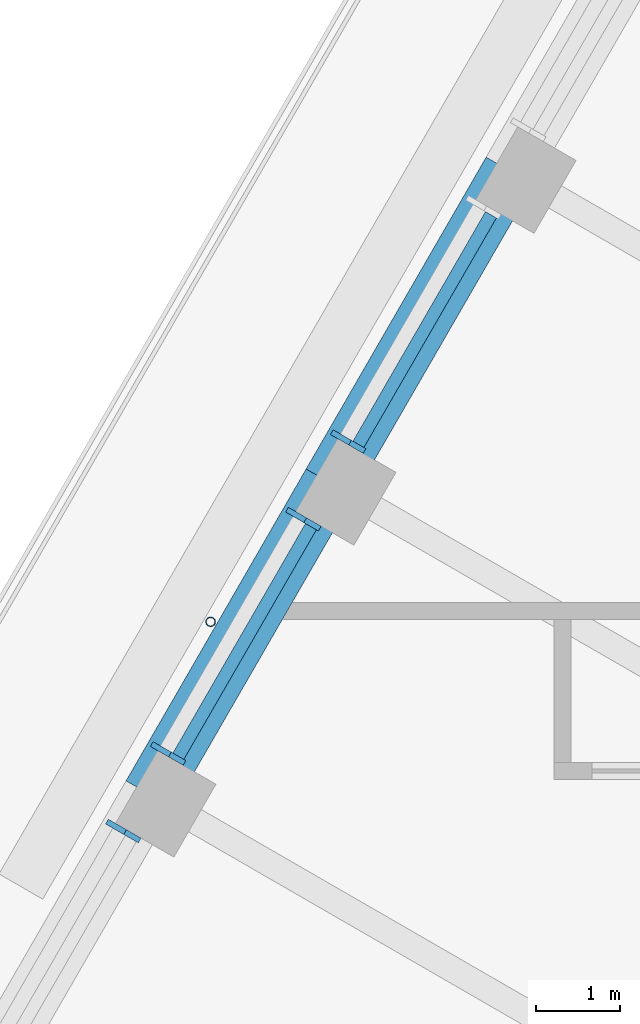
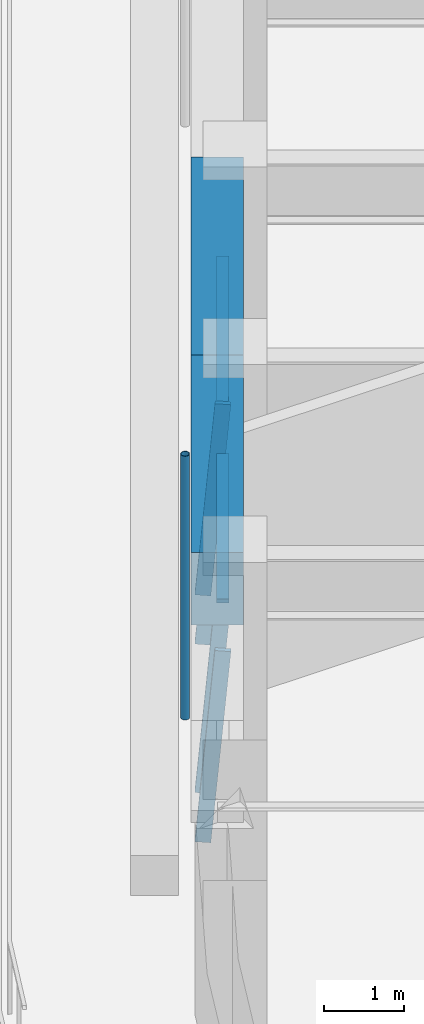
# One storey, part 6 of 19: 7 members, 2 beams, 3 elements without a shape of their own.
"""IFC4 building model written with IfcOpenShell, lengths in metres."""

from ifc_helpers import new_model, si_unit, direction, frame, origin, origin_2d, place, context, subcontext, project, spatial, rectangle, hollow_circle, extrude, material, material_profile, profile_set, type_object, element, aggregate, save


model = new_model("IFC4")

# Units and contexts
model_context = context("Model", 3, precision=1e-05, world=origin(), true_north=direction((0.0, 1.0)))
body_context = subcontext(model_context, "Body", "Model", "MODEL_VIEW")
ifc_project = project(units=[si_unit("LENGTHUNIT", "METRE"), si_unit("AREAUNIT", "SQUARE_METRE"), si_unit("VOLUMEUNIT", "CUBIC_METRE"), si_unit("PLANEANGLEUNIT", "RADIAN"), si_unit("MASSUNIT", "GRAM", prefix="KILO")], contexts=[model_context])

# Site, building, storey
site_placement = place(None, origin())
site = spatial("IfcSite", under=ifc_project, at=site_placement, CompositionType="ELEMENT")
building_placement = place(site_placement, origin())
building = spatial("IfcBuilding", under=site, at=building_placement, Name="Tarfa Lantern Tower", CompositionType="ELEMENT")
storey_placement = place(building_placement, frame((0.0, 0.0, 340.89990234375)))
storey = spatial("IfcBuildingStorey", under=building, at=storey_placement, Name="L77", CompositionType="ELEMENT", Elevation=340.89990234375)

# Curtain wall, member
ifc_material_1 = material(Name="Aluminium framed curtain wall", Category="aluminium")
curtain_wall_type = type_object("IfcCurtainWallType", Name="CW4 CANTED GLAZING EXECUTIVE ZONE 2900", PredefinedType="USERDEFINED", material=ifc_material_1)
curtain_wall_1_placement = place(storey_placement, origin())
curtain_wall_1 = element("IfcCurtainWall", 1, at=curtain_wall_1_placement, inside=storey, type_object=curtain_wall_type, Name="CW4 NW L77", ObjectType="CURTAIN WALL", PredefinedType="USERDEFINED")
ifc_material_2 = material(Name="Aluminium mullion", Category="aluminium")
ifc_material_profile_1 = material_profile(ifc_material_2, rectangle(XDim=0.06494140625, YDim=0.199951171875, at=origin_2d()), Name="AL MULLION 65x200")
ifc_profile_set_1 = profile_set([ifc_material_profile_1], Name="Aluminium mullion")
member_type_1 = type_object("IfcMemberType", Name="CWM1 MULLION 65x200", PredefinedType="MULLION", material=ifc_profile_set_1)
member_1_placement = place(storey_placement, frame((-24.954345703125, 10.077880859375, 0.0), z_axis=(0.074393603155, -0.042941967097, 0.996303959277), x_axis=(0.499919672301, 0.866071776036, 0.0)))
member_1 = element("IfcMember", 2, at=member_1_placement, type_object=member_type_1, Name="CW4 mullion 2", PredefinedType="MULLION", context=body_context, shape_type="SweptSolid", body=[
    extrude(rectangle(XDim=0.06494140625, YDim=0.199951171875, at=origin_2d()), origin(), (0.0, 0.0, 1.0), 2.910888671875),
])

# Curtain wall, members
curtain_wall_2_placement = place(storey_placement, origin())
curtain_wall_2 = element("IfcCurtainWall", 3, at=curtain_wall_2_placement, inside=storey, type_object=curtain_wall_type, Name="CW4 NW L77", ObjectType="CURTAIN WALL", PredefinedType="USERDEFINED")
member_2_placement = place(storey_placement, frame((-25.48681640625, 9.155517578125, 0.0), z_axis=(0.074393603155, -0.042941967097, 0.996303959277), x_axis=(0.499919672301, 0.866071776036, 0.0)))
member_2 = element("IfcMember", 4, at=member_2_placement, type_object=member_type_1, Name="CW4 mullion 1", PredefinedType="MULLION", context=body_context, shape_type="SweptSolid", body=[
    extrude(rectangle(XDim=0.06494140625, YDim=0.199951171875, at=origin_2d()), origin(), (0.0, 0.0, 1.0), 2.910888671875),
])
member_3_placement = place(storey_placement, frame((-27.095458984375, 6.369384765625, 0.0), z_axis=(0.074393603155, -0.042941967097, 0.996303959277), x_axis=(0.499919672301, 0.866071776036, 0.0)))
member_3 = element("IfcMember", 5, at=member_3_placement, type_object=member_type_1, Name="CW4 mullion 2", PredefinedType="MULLION", context=body_context, shape_type="SweptSolid", body=[
    extrude(rectangle(XDim=0.06494140625, YDim=0.199951171875, at=origin_2d()), origin(), (0.0, 0.0, 1.0), 2.910888671875),
])

# Curtain wall, member
curtain_wall_3_placement = place(storey_placement, origin())
curtain_wall_3 = element("IfcCurtainWall", 6, at=curtain_wall_3_placement, inside=storey, type_object=curtain_wall_type, Name="CW4 NW L77", ObjectType="CURTAIN WALL", PredefinedType="USERDEFINED")
member_4_placement = place(storey_placement, frame((-27.6279296875, 5.447265625, 0.0), z_axis=(0.074393603155, -0.042941967097, 0.996303959277), x_axis=(0.499919672301, 0.866071776036, 0.0)))
member_4 = element("IfcMember", 7, at=member_4_placement, type_object=member_type_1, Name="CW4 mullion 1", PredefinedType="MULLION", context=body_context, shape_type="SweptSolid", body=[
    extrude(rectangle(XDim=0.06494140625, YDim=0.199951171875, at=origin_2d()), origin(), (0.0, 0.0, 1.0), 2.910888671875),
])
aggregate(curtain_wall_3, [member_4])

# Member
ifc_material_3 = material(Name="Aluminium transom", Category="aluminium")
ifc_material_profile_2 = material_profile(ifc_material_3, rectangle(XDim=0.14990234375, YDim=0.06494140625, at=origin_2d()), Name="AL TRANSOM 150x65")
ifc_profile_set_2 = profile_set([ifc_material_profile_2], Name="Aluminium transom")
member_type_2 = type_object("IfcMemberType", Name="CWT1 TRANSOM 150x65", PredefinedType="USERDEFINED", material=ifc_profile_set_2)
member_5_placement = place(storey_placement, frame((-23.14794921875, 12.712158203125, 2.86767578125), z_axis=(-0.500037562771, -0.866003715822, 0.0), x_axis=(0.866003715822, -0.500037562771, 0.0)))
member_5 = element("IfcMember", 8, at=member_5_placement, type_object=member_type_2, Name="CW4 transom 1.2", ObjectType="TRANSOM", PredefinedType="USERDEFINED", context=body_context, shape_type="SweptSolid", body=[
    extrude(rectangle(XDim=0.14990234375, YDim=0.06494140625, at=origin_2d()), origin(), (0.0, 0.0, 1.0), 3.152099609375),
])

aggregate(curtain_wall_1, [member_1, member_5])

member_6_placement = place(storey_placement, frame((-25.2890625, 9.003662109375, 2.86767578125), z_axis=(-0.499979472441, -0.866037255052, 0.0), x_axis=(0.866037255052, -0.499979472441, 0.0)))
member_6 = element("IfcMember", 9, at=member_6_placement, type_object=member_type_2, Name="CW4 transom 1.2", ObjectType="TRANSOM", PredefinedType="USERDEFINED", context=body_context, shape_type="SweptSolid", body=[
    extrude(rectangle(XDim=0.14990234375, YDim=0.06494140625, at=origin_2d()), origin(), (0.0, 0.0, 1.0), 3.152099609375),
])

aggregate(curtain_wall_2, [member_2, member_3, member_6])

# Beams
ifc_material_4 = material(Name="Concrete C80/95", Category="concrete")
ifc_material_profile_3 = material_profile(ifc_material_4, rectangle(XDim=0.64990234375, YDim=1.10009765625, at=origin_2d()), Name="RC 650x1100")
ifc_profile_set_3 = profile_set([ifc_material_profile_3], Name="Concrete C80/95")
beam_type = type_object("IfcBeamType", Name="EB4 RC 650x1100", PredefinedType="SPANDREL", material=ifc_profile_set_3)
beam_1_placement = place(storey_placement, frame((-22.923583984375, 13.235107421875, 3.4501953125), z_axis=(-0.500002112793, -0.866024183959, 0.0), x_axis=(0.866024183959, -0.500002112793, 0.0)))
element("IfcBeam", 10, at=beam_1_placement, inside=storey, type_object=beam_type, Name="Edge beam NW3", PredefinedType="SPANDREL", context=body_context, shape_type="SweptSolid", body=[
    extrude(rectangle(XDim=0.64990234375, YDim=1.10009765625, at=origin_2d()), origin(), (0.0, 0.0, 1.0), 4.2822265625),
])
beam_2_placement = place(storey_placement, frame((-25.064697265625, 9.526611328125, 3.4501953125), z_axis=(-0.500026801138, -0.866009929587, 0.0), x_axis=(0.866009929587, -0.500026801138, 0.0)))
element("IfcBeam", 11, at=beam_2_placement, inside=storey, type_object=beam_type, Name="Edge beam NW4", PredefinedType="SPANDREL", context=body_context, shape_type="SweptSolid", body=[
    extrude(rectangle(XDim=0.64990234375, YDim=1.10009765625, at=origin_2d()), origin(), (0.0, 0.0, 1.0), 4.281982421875),
])

# Member
ifc_material_5 = material(Name="Steel S355", Category="steel")
ifc_material_profile_4 = material_profile(ifc_material_5, hollow_circle(Radius=0.05712890625, WallThickness=0.00634765625, at=origin_2d()), Name="CHS114.3x6.3")
ifc_profile_set_4 = profile_set([ifc_material_profile_4], Name="Steel S355")
member_type_3 = type_object("IfcMemberType", Name="TR1 GREEN WALL TRELLIS CHS114.3x6.3", PredefinedType="USERDEFINED", material=ifc_profile_set_4)
member_7_placement = place(storey_placement, frame((-26.481689453125, 7.87255859375, 0.0), z_axis=(0.0, 0.0, 1.0), x_axis=(1.0, 0.0, 0.0)))
element("IfcMember", 12, at=member_7_placement, inside=storey, type_object=member_type_3, Name="Trellis post NW 2", ObjectType="TRELLIS", PredefinedType="USERDEFINED", context=body_context, shape_type="SweptSolid", body=[
    extrude(hollow_circle(Radius=0.05712890625, WallThickness=0.00634765625, at=origin_2d()), origin(), (0.0, 0.0, 1.0), 4.0),
])

save(model, "model.ifc")
